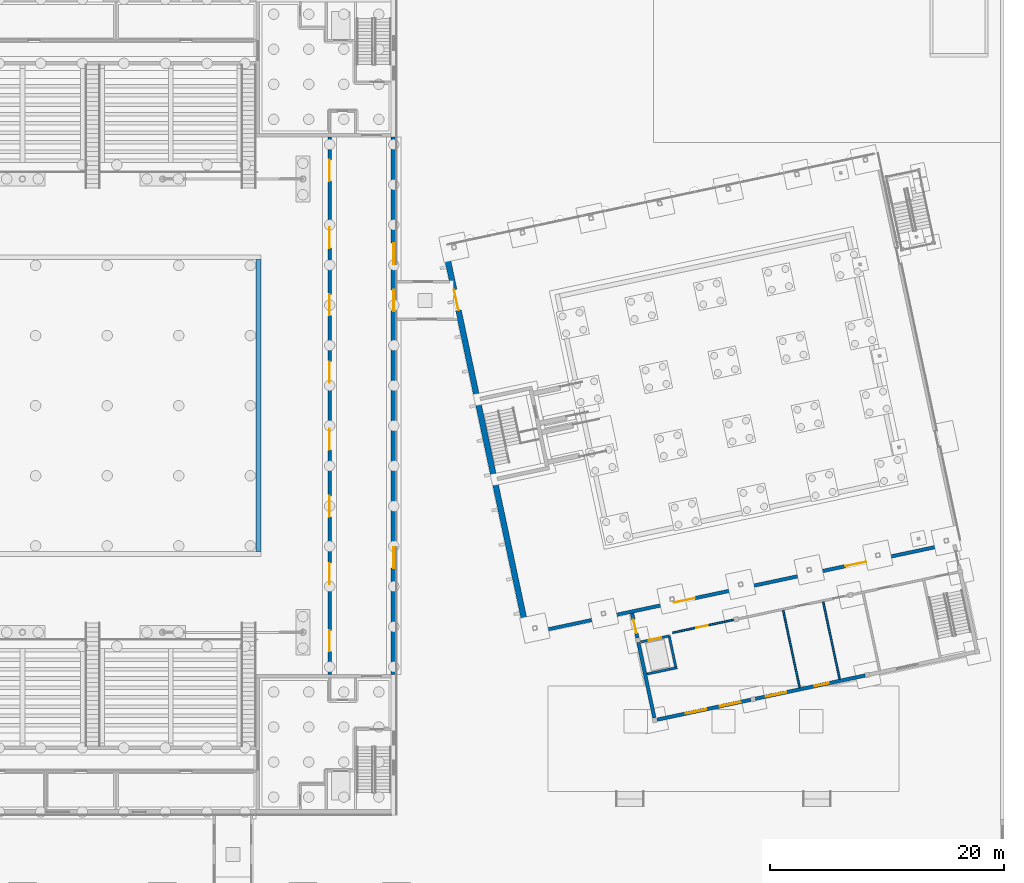
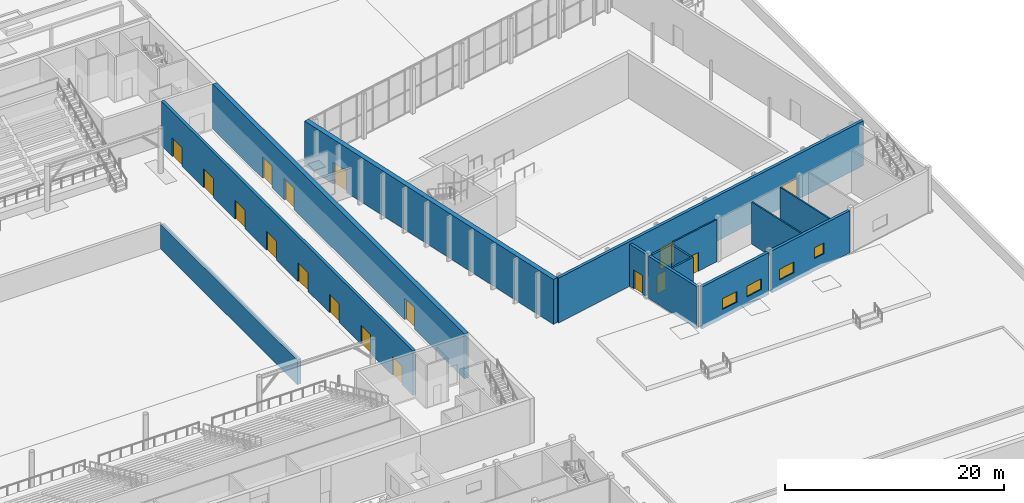
# One storey, part 102 of 157: 17 doors, 15 walls, 4 windows, 21 openings.
"""IFC4 building model written with IfcOpenShell, lengths in metres."""

import ifcopenshell
import ifcopenshell.guid

model = None  # the IFC model being written
_history = None  # IfcOwnerHistory: only IFC2X3 demands one
_inside = {}  # id of a spatial element -> (the spatial element, [elements in it])
_under = {}  # id of a project, library or spatial element -> (it, [spatial elements below it])
_declared = {}  # id of a project -> (the project, [libraries it declares])
_typed = {}  # id of a type object -> (the type object, [elements of that type])
_made_of = {}  # id of a material, layer set ... -> (it, [elements and type objects made of it])


def new_model(schema):
    """Start an empty IFC model of exactly this schema.

    Asked for "IFC4X3", IfcOpenShell would pick the latest addendum, in which some entities
    have other attributes; the version numbers below select the first issue.
    IFC2X3 requires an IfcOwnerHistory on every rooted entity: one is made here for all.
    """
    global model, _history
    if schema == "IFC4X3":
        model = ifcopenshell.file(schema_version=(4, 3, 0, 0))
    else:
        model = ifcopenshell.file(schema=schema)
    _inside.clear()
    _under.clear()
    _declared.clear()
    _typed.clear()
    _made_of.clear()
    _history = None
    if model.schema == "IFC2X3":
        org = make("IfcOrganization", Name="unknown")
        user = make(
            "IfcPersonAndOrganization",
            ThePerson=make("IfcPerson", FamilyName="unknown"),
            TheOrganization=org,
        )
        app = make(
            "IfcApplication",
            ApplicationDeveloper=org,
            Version="unknown",
            ApplicationFullName="unknown",
            ApplicationIdentifier="unknown",
        )
        _history = make(
            "IfcOwnerHistory",
            OwningUser=user,
            OwningApplication=app,
            ChangeAction="ADDED",
            CreationDate=0,
        )
    return model


def make(cls, **values):
    """One entity of the class cls with the attributes given. An attribute that is None is left unset."""
    return model.create_entity(
        cls, **{name: value for name, value in values.items() if value is not None}
    )


def rooted(cls, **values):
    """An entity with a GlobalId (a new one), such as an element, a storey or a relation."""
    return make(cls, GlobalId=ifcopenshell.guid.new(), OwnerHistory=_history, **values)


def si_unit(unit_type, name, prefix=None):
    """IfcSIUnit, for example si_unit("LENGTHUNIT", "METRE", prefix="MILLI")."""
    return make("IfcSIUnit", UnitType=unit_type, Prefix=prefix, Name=name)


def assignment(units):
    """IfcUnitAssignment: the units of a project."""
    return None if units is None else make("IfcUnitAssignment", Units=units)


def point(xyz):
    """IfcCartesianPoint."""
    return None if xyz is None else make("IfcCartesianPoint", Coordinates=xyz)


def direction(xyz):
    """IfcDirection."""
    return None if xyz is None else make("IfcDirection", DirectionRatios=xyz)


def frame(location, z_axis=None, x_axis=None):
    """IfcAxis2Placement3D, a coordinate frame: its origin and axes. An axis left out is left unset."""
    return make(
        "IfcAxis2Placement3D",
        Location=point(location),
        Axis=direction(z_axis),
        RefDirection=direction(x_axis),
    )


def frame_2d(location, x_axis=None):
    """IfcAxis2Placement2D, a coordinate frame in the plane: its origin and x axis."""
    return make(
        "IfcAxis2Placement2D", Location=point(location), RefDirection=direction(x_axis)
    )


def origin():
    """The frame at (0, 0, 0) with its axes left unset."""
    return frame((0.0, 0.0, 0.0))


def place(relative_to, where):
    """IfcLocalPlacement: puts the frame where relative to a parent placement (None: the world)."""
    return make(
        "IfcLocalPlacement", PlacementRelTo=relative_to, RelativePlacement=where
    )


def context(
    kind, dimensions, precision=None, world=None, true_north=None, identifier=None
):
    """IfcGeometricRepresentationContext, for example the 3D "Model" context."""
    return make(
        "IfcGeometricRepresentationContext",
        ContextIdentifier=identifier,
        ContextType=kind,
        CoordinateSpaceDimension=dimensions,
        Precision=precision,
        WorldCoordinateSystem=world,
        TrueNorth=true_north,
    )


def subcontext(parent, identifier, kind, view, scale=None):
    """IfcGeometricRepresentationSubContext, for example "Body" below "Model"."""
    return make(
        "IfcGeometricRepresentationSubContext",
        ContextIdentifier=identifier,
        ContextType=kind,
        ParentContext=parent,
        TargetScale=scale,
        TargetView=view,
    )


def project(units=None, contexts=None):
    """IfcProject with its units and contexts."""
    return rooted(
        "IfcProject",
        Name="project",
        RepresentationContexts=contexts,
        UnitsInContext=assignment(units),
    )


def spatial(cls, under=None, at=None, **own):
    """A site, building, storey or space (cls), placed at a placement, below another one or the project."""
    s = rooted(cls, ObjectPlacement=at, **own)
    if under is not None:
        _under.setdefault(under.id(), (under, []))[1].append(s)
    return s


def profile(cls, at=None, kind="AREA", **sizes):
    """A parametric profile (cls). Its sizes go by their IFC names, for example OverallWidth=200.0."""
    return make(cls, ProfileType=kind, Position=at, **sizes)


def rectangle(**sizes):
    """IfcRectangleProfileDef."""
    return profile("IfcRectangleProfileDef", **sizes)


def extrude(swept, where, along, depth):
    """IfcExtrudedAreaSolid: the profile swept, set in the frame where, extruded along a direction by depth."""
    return make(
        "IfcExtrudedAreaSolid",
        SweptArea=swept,
        Position=where,
        ExtrudedDirection=direction(along),
        Depth=depth,
    )


def shape(context_of_items, identifier, shape_type, items):
    """IfcShapeRepresentation: the items that make up one representation, for example the "Body"."""
    return make(
        "IfcShapeRepresentation",
        ContextOfItems=context_of_items,
        RepresentationIdentifier=identifier,
        RepresentationType=shape_type,
        Items=items,
    )


def material(Name=None, Category=None):
    """IfcMaterial."""
    return make("IfcMaterial", Name=Name, Category=Category)


def layer(
    of_material, thickness, ventilated=None, Name=None, Category=None, Priority=None
):
    """IfcMaterialLayer: one layer of a wall or slab, of a material (None: an air gap)."""
    return make(
        "IfcMaterialLayer",
        Material=of_material,
        LayerThickness=thickness,
        IsVentilated=ventilated,
        Name=Name,
        Category=Category,
        Priority=Priority,
    )


def layer_set(layers, Name=None):
    """IfcMaterialLayerSet."""
    return make("IfcMaterialLayerSet", MaterialLayers=layers, LayerSetName=Name)


def made_of(thing, what):
    """Note that an element or type object is made of a material, layer set ...; save() writes the relation."""
    if what is not None:
        _made_of.setdefault(what.id(), (what, []))[1].append(thing)
    return thing


def type_object(cls, material=None, **own):
    """A type object (cls), such as IfcWallType, which elements share."""
    return made_of(rooted(cls, **own), material)


def element(
    cls,
    number,
    at=None,
    inside=None,
    cuts=None,
    type_object=None,
    material=None,
    context=None,
    identifier="Body",
    shape_type=None,
    held_by="IfcProductDefinitionShape",
    body=None,
    shapes=None,
    **own,
):
    """One element of the class cls, such as IfcWall. Its Tag is "e" and its number.

    at: its placement. inside: the storey or other place that contains it. cuts: it is an
    opening in that element (IfcRelVoidsElement). A single representation is given by context,
    identifier, shape_type and body (its items); several are given by shapes. held_by: the class
    of the entity that holds the representations. save() writes the other relations.
    """
    e = rooted(cls, Tag="e%d" % number, ObjectPlacement=at, **own)
    if body is not None:
        shapes = [shape(context, identifier, shape_type, body)]
    if shapes is not None:
        e.Representation = make(held_by, Representations=shapes)
    if inside is not None:
        _inside.setdefault(inside.id(), (inside, []))[1].append(e)
    if cuts is not None:
        rooted(
            "IfcRelVoidsElement", RelatingBuildingElement=cuts, RelatedOpeningElement=e
        )
    if type_object is not None:
        _typed.setdefault(type_object.id(), (type_object, []))[1].append(e)
    return made_of(e, material)


def fill(opening, filler):
    """IfcRelFillsElement: the door or window that sits in an opening."""
    return rooted(
        "IfcRelFillsElement",
        RelatingOpeningElement=opening,
        RelatedBuildingElement=filler,
    )


def aggregate(whole, parts):
    """IfcRelAggregates: a whole, such as a stair, and the parts it consists of."""
    return rooted("IfcRelAggregates", RelatingObject=whole, RelatedObjects=parts)


def save(model, path):
    """Write the relations noted so far, then the file.

    IfcRelAggregates (storeys below a building ...), IfcRelContainedInSpatialStructure (elements
    in a storey), IfcRelDefinesByType, IfcRelAssociatesMaterial and IfcRelDeclares: one each for
    every whole, place, type object, material and project.
    """
    for whole, parts in _under.values():
        aggregate(whole, parts)
    for where, things in _inside.values():
        rooted(
            "IfcRelContainedInSpatialStructure",
            RelatedElements=things,
            RelatingStructure=where,
        )
    for kind, things in _typed.values():
        rooted("IfcRelDefinesByType", RelatedObjects=things, RelatingType=kind)
    for what, things in _made_of.values():
        rooted("IfcRelAssociatesMaterial", RelatedObjects=things, RelatingMaterial=what)
    for by, libraries in _declared.values():
        rooted("IfcRelDeclares", RelatingContext=by, RelatedDefinitions=libraries)
    model.write(path)


model = new_model("IFC4")

# Units and contexts
model_context = context("Model", 3, precision=1e-05, world=origin(), true_north=direction((0.0, 1.0)))
body_context = subcontext(model_context, "Body", "Model", "MODEL_VIEW")
ifc_project = project(units=[si_unit("LENGTHUNIT", "METRE"), si_unit("AREAUNIT", "SQUARE_METRE"), si_unit("VOLUMEUNIT", "CUBIC_METRE"), si_unit("PLANEANGLEUNIT", "RADIAN"), si_unit("MASSUNIT", "GRAM", prefix="KILO")], contexts=[model_context])

# Site, building, storey
site_placement = place(None, origin())
site = spatial("IfcSite", under=ifc_project, at=site_placement, CompositionType="ELEMENT")
building_placement = place(site_placement, origin())
building = spatial("IfcBuilding", under=site, at=building_placement, Name="Windward Yard Aquatics Centre", CompositionType="ELEMENT")
storey_placement = place(building_placement, origin())
storey = spatial("IfcBuildingStorey", under=building, at=storey_placement, Name="L00", CompositionType="ELEMENT", Elevation=0.0)

# Wall, opening, door
ifc_material_1 = material(Name="Concrete C35/45", Category="concrete")
ifc_layer_1 = layer(ifc_material_1, 0.199951171875)
ifc_layer_set_1 = layer_set([ifc_layer_1], Name="D annex core wall 200")
wall_type_1 = type_object("IfcWallType", Name="D annex core wall 200", PredefinedType="SOLIDWALL", material=ifc_layer_set_1)
wall_1_placement = place(storey_placement, frame((172.9013671875, 40.776123046875, 0.0), z_axis=(0.0, 0.0, 1.0), x_axis=(0.978146935828, 0.207914818928, 0.0)))
wall_1 = element("IfcWall", 1, at=wall_1_placement, inside=storey, type_object=wall_type_1, Name="D.W.A.L00.LS.N", PredefinedType="SOLIDWALL", context=body_context, shape_type="SweptSolid", body=[
    extrude(rectangle(XDim=2.5, YDim=0.199951171875, at=frame_2d((1.25, 0.0))), origin(), (0.0, 0.0, 1.0), 4.699951171875),
])
opening_1_placement = place(wall_1_placement, frame((0.699951171875, 0.0, 0.0)))
opening_1 = element("IfcOpeningElement", 2, at=opening_1_placement, cuts=wall_1, Name="Opening D0900", PredefinedType="OPENING", context=body_context, shape_type="SweptSolid", body=[
    extrude(rectangle(XDim=1.10009765625, YDim=2.10009765625, at=frame_2d((0.550048828125, 1.050048828125))), frame((0.0, 0.10986328125, 0.0), z_axis=(0.0, -1.0, 0.0), x_axis=(1.0, 0.0, 0.0)), (0.0, 0.0, 1.0), 0.219970703125),
])
ifc_material_2 = material(Name="Aluminium framed glazed sliding door", Category="aluminium")
door_type_1 = type_object("IfcDoorType", Name="D sliding door 1100X2100 FD60", OperationType="SLIDING_TO_LEFT", PredefinedType="DOOR", material=ifc_material_2)
door_1_placement = place(opening_1_placement, origin())
door_1 = element("IfcDoor", 3, at=door_1_placement, inside=storey, type_object=door_type_1, Name="Lift 1 landing door L00", OperationType="SLIDING_TO_LEFT", OverallHeight=2.10009765625, OverallWidth=1.10009765625, PredefinedType="DOOR", context=body_context, shape_type="SweptSolid", body=[
    extrude(rectangle(XDim=1.10009765625, YDim=2.10009765625, at=frame_2d((0.550048828125, 1.050048828125))), frame((0.0, 0.02490234375, 0.0), z_axis=(0.0, -1.0, 0.0), x_axis=(1.0, 0.0, 0.0)), (0.0, 0.0, 1.0), 0.050048828125),
])
fill(opening_1, door_1)

# Walls
wall_2_placement = place(storey_placement, frame((175.9287109375, 38.55712890625, 0.0), z_axis=(0.0, 0.0, 1.0), x_axis=(-0.207873355681, 0.978155748334, 0.0)))
element("IfcWall", 4, at=wall_2_placement, inside=storey, type_object=wall_type_1, Name="D.W.A.L00.LS.E", PredefinedType="SOLIDWALL", context=body_context, shape_type="SweptSolid", body=[
    extrude(rectangle(XDim=2.800048828125, YDim=0.199951171875, at=frame_2d((1.39990234375, 0.0))), origin(), (0.0, 0.0, 1.0), 4.699951171875),
])
wall_3_placement = place(storey_placement, frame((173.4345703125, 38.02685546875, 0.0), z_axis=(0.0, 0.0, 1.0), x_axis=(0.978142223379, 0.207936987677, 0.0)))
element("IfcWall", 5, at=wall_3_placement, inside=storey, type_object=wall_type_1, Name="D.W.A.L00.LS.S", PredefinedType="SOLIDWALL", context=body_context, shape_type="SweptSolid", body=[
    extrude(rectangle(XDim=2.64990234375, YDim=0.199951171875, at=frame_2d((1.324951171875, 0.0))), origin(), (0.0, 0.0, 1.0), 4.699951171875),
])

# Wall, openings, windows
ifc_layer_2 = layer(ifc_material_1, 0.300048828125)
ifc_layer_set_2 = layer_set([ifc_layer_2], Name="D annex external wall 300")
wall_type_2 = type_object("IfcWallType", Name="D annex external wall 300", PredefinedType="ELEMENTEDWALL", material=ifc_layer_set_2)
wall_4_placement = place(storey_placement, frame((174.315185546875, 34.124755859375, 0.0), z_axis=(0.0, 0.0, 1.0), x_axis=(0.978148331689, 0.207908251916, 0.0)))
wall_4 = element("IfcWall", 6, at=wall_4_placement, inside=storey, type_object=wall_type_2, Name="D.W.A.L00.S.1", PredefinedType="ELEMENTEDWALL", context=body_context, shape_type="SweptSolid", body=[
    extrude(rectangle(XDim=8.199951171875, YDim=0.300048828125, at=frame_2d((4.10009765625, 0.0))), origin(), (0.0, 0.0, 1.0), 4.699951171875),
])
opening_2_placement = place(wall_4_placement, frame((2.5, 0.0, 1.0)))
opening_2 = element("IfcOpeningElement", 7, at=opening_2_placement, cuts=wall_4, Name="Opening DW0001", PredefinedType="OPENING", context=body_context, shape_type="SweptSolid", body=[
    extrude(rectangle(XDim=1.800048828125, YDim=1.199951171875, at=frame_2d((0.89990234375, 0.60009765625))), frame((0.0, 0.16015625, 0.0), z_axis=(0.0, -1.0, 0.0), x_axis=(1.0, 0.0, 0.0)), (0.0, 0.0, 1.0), 0.320068359375),
])
opening_3_placement = place(wall_4_placement, frame((5.5, 0.0, 1.0)))
opening_3 = element("IfcOpeningElement", 8, at=opening_3_placement, cuts=wall_4, Name="Opening DW0002", PredefinedType="OPENING", context=body_context, shape_type="SweptSolid", body=[
    extrude(rectangle(XDim=1.800048828125, YDim=1.199951171875, at=frame_2d((0.89990234375, 0.60009765625))), frame((0.0, 0.16015625, 0.0), z_axis=(0.0, -1.0, 0.0), x_axis=(1.0, 0.0, 0.0)), (0.0, 0.0, 1.0), 0.320068359375),
])
ifc_material_3 = material(Name="Aluminium framed double glazing", Category="aluminium")
window_type_1 = type_object("IfcWindowType", Name="D window 1800X1200", PartitioningType="SINGLE_PANEL", PredefinedType="WINDOW", material=ifc_material_3)
window_1_placement = place(opening_2_placement, origin())
window_1 = element("IfcWindow", 9, at=window_1_placement, inside=storey, type_object=window_type_1, Name="Window DW0001", OverallHeight=1.199951171875, OverallWidth=1.800048828125, PartitioningType="SINGLE_PANEL", PredefinedType="WINDOW", context=body_context, shape_type="SweptSolid", body=[
    extrude(rectangle(XDim=1.800048828125, YDim=1.199951171875, at=frame_2d((0.89990234375, 0.60009765625))), frame((0.0, 0.030029296875, 0.0), z_axis=(0.0, -1.0, 0.0), x_axis=(1.0, 0.0, 0.0)), (0.0, 0.0, 1.0), 0.06005859375),
])
fill(opening_2, window_1)
window_2_placement = place(opening_3_placement, origin())
window_2 = element("IfcWindow", 10, at=window_2_placement, inside=storey, type_object=window_type_1, Name="Window DW0002", OverallHeight=1.199951171875, OverallWidth=1.800048828125, PartitioningType="SINGLE_PANEL", PredefinedType="WINDOW", context=body_context, shape_type="SweptSolid", body=[
    extrude(rectangle(XDim=1.800048828125, YDim=1.199951171875, at=frame_2d((0.89990234375, 0.60009765625))), frame((0.0, 0.030029296875, 0.0), z_axis=(0.0, -1.0, 0.0), x_axis=(1.0, 0.0, 0.0)), (0.0, 0.0, 1.0), 0.06005859375),
])
fill(opening_3, window_2)

wall_5_placement = place(storey_placement, frame((182.72705078125, 35.912841796875, 0.0), z_axis=(0.0, 0.0, 1.0), x_axis=(0.978150512552, 0.207897991319, 0.0)))
wall_5 = element("IfcWall", 11, at=wall_5_placement, inside=storey, type_object=wall_type_2, Name="D.W.A.L00.S.2", PredefinedType="ELEMENTEDWALL", context=body_context, shape_type="SweptSolid", body=[
    extrude(rectangle(XDim=9.60009765625, YDim=0.300048828125, at=frame_2d((4.800048828125, 0.0))), origin(), (0.0, 0.0, 1.0), 4.699951171875),
])
opening_4_placement = place(wall_5_placement, frame((0.89990234375, 0.0, 1.0)))
opening_4 = element("IfcOpeningElement", 12, at=opening_4_placement, cuts=wall_5, Name="Opening DW0003", PredefinedType="OPENING", context=body_context, shape_type="SweptSolid", body=[
    extrude(rectangle(XDim=1.800048828125, YDim=1.199951171875, at=frame_2d((0.89990234375, 0.60009765625))), frame((0.0, 0.16015625, 0.0), z_axis=(0.0, -1.0, 0.0), x_axis=(1.0, 0.0, 0.0)), (0.0, 0.0, 1.0), 0.320068359375),
])
opening_5_placement = place(wall_5_placement, frame((5.199951171875, 0.0, 1.39990234375)))
opening_5 = element("IfcOpeningElement", 13, at=opening_5_placement, cuts=wall_5, Name="Opening DW0004", PredefinedType="OPENING", context=body_context, shape_type="SweptSolid", body=[
    extrude(rectangle(XDim=1.199951171875, YDim=1.199951171875, at=frame_2d((0.60009765625, 0.60009765625))), frame((0.0, 0.16015625, 0.0), z_axis=(0.0, -1.0, 0.0), x_axis=(1.0, 0.0, 0.0)), (0.0, 0.0, 1.0), 0.320068359375),
])
window_type_2 = type_object("IfcWindowType", Name="D window 1200X1200", PartitioningType="SINGLE_PANEL", PredefinedType="WINDOW", material=ifc_material_3)
window_3_placement = place(opening_5_placement, origin())
window_3 = element("IfcWindow", 14, at=window_3_placement, inside=storey, type_object=window_type_2, Name="Window DW0004", OverallHeight=1.199951171875, OverallWidth=1.199951171875, PartitioningType="SINGLE_PANEL", PredefinedType="WINDOW", context=body_context, shape_type="SweptSolid", body=[
    extrude(rectangle(XDim=1.199951171875, YDim=1.199951171875, at=frame_2d((0.60009765625, 0.60009765625))), frame((0.0, 0.030029296875, 0.0), z_axis=(0.0, -1.0, 0.0), x_axis=(1.0, 0.0, 0.0)), (0.0, 0.0, 1.0), 0.06005859375),
])
fill(opening_5, window_3)
window_4_placement = place(opening_4_placement, origin())
window_4 = element("IfcWindow", 15, at=window_4_placement, inside=storey, type_object=window_type_1, Name="Window DW0003", OverallHeight=1.199951171875, OverallWidth=1.800048828125, PartitioningType="SINGLE_PANEL", PredefinedType="WINDOW", context=body_context, shape_type="SweptSolid", body=[
    extrude(rectangle(XDim=1.800048828125, YDim=1.199951171875, at=frame_2d((0.89990234375, 0.60009765625))), frame((0.0, 0.030029296875, 0.0), z_axis=(0.0, -1.0, 0.0), x_axis=(1.0, 0.0, 0.0)), (0.0, 0.0, 1.0), 0.06005859375),
])
fill(opening_4, window_4)

# Wall
wall_6_placement = place(storey_placement, frame((174.077880859375, 34.27880859375, 0.0), z_axis=(0.0, 0.0, 1.0), x_axis=(-0.207924673876, 0.978144841009, 0.0)))
element("IfcWall", 16, at=wall_6_placement, inside=storey, type_object=wall_type_2, Name="D.W.A.L00.W.1", PredefinedType="ELEMENTEDWALL", context=body_context, shape_type="SweptSolid", body=[
    extrude(rectangle(XDim=6.60009765625, YDim=0.300048828125, at=frame_2d((3.300048828125, 0.0))), origin(), (0.0, 0.0, 1.0), 4.699951171875),
])

# Wall, opening, door
wall_7_placement = place(storey_placement, frame((172.62255859375, 41.125732421875, 0.0), z_axis=(0.0, 0.0, 1.0), x_axis=(-0.207915795165, 0.978146728319, 0.0)))
wall_7 = element("IfcWall", 17, at=wall_7_placement, inside=storey, type_object=wall_type_2, Name="D.W.A.L00.WN.1", PredefinedType="ELEMENTEDWALL", context=body_context, shape_type="SweptSolid", body=[
    extrude(rectangle(XDim=2.14990234375, YDim=0.300048828125, at=frame_2d((1.074951171875, 0.0))), origin(), (0.0, 0.0, 1.0), 4.699951171875),
])
opening_6_placement = place(wall_7_placement, frame((0.39990234375, 0.0, 0.0)))
opening_6 = element("IfcOpeningElement", 18, at=opening_6_placement, cuts=wall_7, Name="Opening D0012", PredefinedType="OPENING", context=body_context, shape_type="SweptSolid", body=[
    extrude(rectangle(XDim=1.199951171875, YDim=2.10009765625, at=frame_2d((0.60009765625, 1.050048828125))), frame((0.0, 0.16015625, 0.0), z_axis=(0.0, -1.0, 0.0), x_axis=(1.0, 0.0, 0.0)), (0.0, 0.0, 1.0), 0.320068359375),
])
ifc_material_4 = material(Name="Steel door leaf in steel frame", Category="steel")
door_type_2 = type_object("IfcDoorType", Name="D steel door 1200X2100 FD60", OperationType="SINGLE_SWING_LEFT", PredefinedType="DOOR", material=ifc_material_4)
door_2_placement = place(opening_6_placement, origin())
door_2 = element("IfcDoor", 19, at=door_2_placement, inside=storey, type_object=door_type_2, Name="Annex corridor exit door west", OperationType="SINGLE_SWING_LEFT", OverallHeight=2.10009765625, OverallWidth=1.199951171875, PredefinedType="DOOR", context=body_context, shape_type="SweptSolid", body=[
    extrude(rectangle(XDim=1.199951171875, YDim=2.10009765625, at=frame_2d((0.60009765625, 1.050048828125))), frame((0.0, 0.02490234375, 0.0), z_axis=(0.0, -1.0, 0.0), x_axis=(1.0, 0.0, 0.0)), (0.0, 0.0, 1.0), 0.050048828125),
])
fill(opening_6, door_2)

ifc_material_5 = material(Name="Concrete masonry unit plastered", Category="masonry")
ifc_layer_3 = layer(ifc_material_5, 0.14990234375)
ifc_layer_set_3 = layer_set([ifc_layer_3], Name="D annex partition 150")
wall_type_3 = type_object("IfcWallType", Name="D annex partition 150", PredefinedType="PARTITIONING", material=ifc_layer_set_3)
wall_8_placement = place(storey_placement, frame((175.6474609375, 41.564208984375, 0.0), z_axis=(0.0, 0.0, 1.0), x_axis=(0.978148991832, 0.207905146106, 0.0)))
wall_8 = element("IfcWall", 20, at=wall_8_placement, inside=storey, type_object=wall_type_3, Name="D.W.A.L00.CP.1", PredefinedType="PARTITIONING", context=body_context, shape_type="SweptSolid", body=[
    extrude(rectangle(XDim=5.35009765625, YDim=0.14990234375, at=frame_2d((2.675048828125, 0.0))), origin(), (0.0, 0.0, 1.0), 4.699951171875),
])
opening_7_placement = place(wall_8_placement, frame((2.050048828125, 0.0, 0.0)))
opening_7 = element("IfcOpeningElement", 21, at=opening_7_placement, cuts=wall_8, Name="Opening D0007", PredefinedType="OPENING", context=body_context, shape_type="SweptSolid", body=[
    extrude(rectangle(XDim=1.0, YDim=2.10009765625, at=frame_2d((0.5, 1.050048828125))), frame((0.0, 0.0849609375, 0.0), z_axis=(0.0, -1.0, 0.0), x_axis=(1.0, 0.0, 0.0)), (0.0, 0.0, 1.0), 0.169921875),
])
ifc_material_6 = material(Name="Timber door leaf in steel frame", Category="steel")
door_type_3 = type_object("IfcDoorType", Name="D door 1000X2100 FD30S", OperationType="SINGLE_SWING_LEFT", PredefinedType="DOOR", material=ifc_material_6)
door_3_placement = place(opening_7_placement, origin())
door_3 = element("IfcDoor", 22, at=door_3_placement, inside=storey, type_object=door_type_3, Name="Door D0007", OperationType="SINGLE_SWING_LEFT", OverallHeight=2.10009765625, OverallWidth=1.0, PredefinedType="DOOR", context=body_context, shape_type="SweptSolid", body=[
    extrude(rectangle(XDim=1.0, YDim=2.10009765625, at=frame_2d((0.5, 1.050048828125))), frame((0.0, 0.02490234375, 0.0), z_axis=(0.0, -1.0, 0.0), x_axis=(1.0, 0.0, 0.0)), (0.0, 0.0, 1.0), 0.050048828125),
])
fill(opening_7, door_3)

# Walls
for number, where, z_axis, x_axis, name in (
    (23, (186.5107421875, 36.870361328125, 0.0), (0.0, 0.0, 1.0), (-0.207898552739, 0.978150393226, 0.0), "D.W.A.L00.DV.22.1"),
    (24, (189.93408203125, 37.597900390625, 0.0), (0.0, 0.0, 1.0), (-0.207898552739, 0.978150393226, 0.0), "D.W.A.L00.DV.25.6"),
):
    element("IfcWall", number, at=place(storey_placement, frame(where, z_axis=z_axis, x_axis=x_axis)), inside=storey, type_object=wall_type_3, Name=name, PredefinedType="PARTITIONING", context=body_context, shape_type="SweptSolid", body=[
        extrude(rectangle(XDim=6.75, YDim=0.14990234375, at=frame_2d((3.375, 0.0))), origin(), (0.0, 0.0, 1.0), 4.699951171875),
    ])

# Wall, openings, doors
ifc_layer_4 = layer(ifc_material_1, 0.300048828125)
ifc_layer_set_4 = layer_set([ifc_layer_4], Name="D diving hall external wall 300")
wall_type_4 = type_object("IfcWallType", Name="D diving hall external wall 300", PredefinedType="SOLIDWALL", material=ifc_layer_set_4)
wall_9_placement = place(storey_placement, frame((163.438720703125, 41.525146484375, 0.0), z_axis=(0.0, 0.0, 1.0), x_axis=(0.978148061555, 0.207909522815, 0.0)))
wall_9 = element("IfcWall", 25, at=wall_9_placement, inside=storey, type_object=wall_type_4, Name="D.W.S.L00", PredefinedType="SOLIDWALL", context=body_context, shape_type="SweptSolid", body=[
    extrude(rectangle(XDim=37.5, YDim=0.300048828125, at=frame_2d((18.75, 0.0))), origin(), (0.0, 0.0, 1.0), 5.0),
])
opening_8_placement = place(wall_9_placement, frame((12.60009765625, 0.0, 0.0)))
opening_8 = element("IfcOpeningElement", 26, at=opening_8_placement, cuts=wall_9, Name="Opening D0001", PredefinedType="OPENING", context=body_context, shape_type="SweptSolid", body=[
    extrude(rectangle(XDim=1.800048828125, YDim=2.39990234375, at=frame_2d((0.89990234375, 1.199951171875))), frame((0.0, 0.16015625, 0.0), z_axis=(0.0, -1.0, 0.0), x_axis=(1.0, 0.0, 0.0)), (0.0, 0.0, 1.0), 0.320068359375),
])
opening_9_placement = place(wall_9_placement, frame((27.60009765625, 0.0, 0.0)))
opening_9 = element("IfcOpeningElement", 27, at=opening_9_placement, cuts=wall_9, Name="Opening D0002", PredefinedType="OPENING", context=body_context, shape_type="SweptSolid", body=[
    extrude(rectangle(XDim=1.800048828125, YDim=2.39990234375, at=frame_2d((0.89990234375, 1.199951171875))), frame((0.0, 0.16015625, 0.0), z_axis=(0.0, -1.0, 0.0), x_axis=(1.0, 0.0, 0.0)), (0.0, 0.0, 1.0), 0.320068359375),
])
door_type_4 = type_object("IfcDoorType", Name="D double door 1800X2400 FD30S", OperationType="DOUBLE_DOOR_SINGLE_SWING", PredefinedType="DOOR", material=ifc_material_6)
door_4_placement = place(opening_8_placement, origin())
door_4 = element("IfcDoor", 28, at=door_4_placement, inside=storey, type_object=door_type_4, Name="Door D0001", OperationType="DOUBLE_DOOR_SINGLE_SWING", OverallHeight=2.39990234375, OverallWidth=1.800048828125, PredefinedType="DOOR", context=body_context, shape_type="SweptSolid", body=[
    extrude(rectangle(XDim=1.800048828125, YDim=2.39990234375, at=frame_2d((0.89990234375, 1.199951171875))), frame((0.0, 0.02490234375, 0.0), z_axis=(0.0, -1.0, 0.0), x_axis=(1.0, 0.0, 0.0)), (0.0, 0.0, 1.0), 0.050048828125),
])
fill(opening_8, door_4)
door_5_placement = place(opening_9_placement, origin())
door_5 = element("IfcDoor", 29, at=door_5_placement, inside=storey, type_object=door_type_4, Name="Door D0002", OperationType="DOUBLE_DOOR_SINGLE_SWING", OverallHeight=2.39990234375, OverallWidth=1.800048828125, PredefinedType="DOOR", context=body_context, shape_type="SweptSolid", body=[
    extrude(rectangle(XDim=1.800048828125, YDim=2.39990234375, at=frame_2d((0.89990234375, 1.199951171875))), frame((0.0, 0.02490234375, 0.0), z_axis=(0.0, -1.0, 0.0), x_axis=(1.0, 0.0, 0.0)), (0.0, 0.0, 1.0), 0.050048828125),
])
fill(opening_9, door_5)

# Wall, opening, door
ifc_layer_5 = layer(ifc_material_1, 0.5)
ifc_layer_set_5 = layer_set([ifc_layer_5], Name="D tower end wall 500")
wall_type_5 = type_object("IfcWallType", Name="D tower end wall 500", PredefinedType="SOLIDWALL", material=ifc_layer_set_5)
wall_10_placement = place(storey_placement, frame((163.194091796875, 41.47314453125, 0.0), z_axis=(0.0, 0.0, 1.0), x_axis=(-0.20790710573, 0.978148575313, 0.0)))
wall_10 = element("IfcWall", 30, at=wall_10_placement, inside=storey, type_object=wall_type_5, Name="D.W.W.L00", PredefinedType="SOLIDWALL", context=body_context, shape_type="SweptSolid", body=[
    extrude(rectangle(XDim=34.0, YDim=0.5, at=frame_2d((17.0, 0.0))), origin(), (0.0, 0.0, 1.0), 5.0),
])
opening_10_placement = place(wall_10_placement, frame((28.300048828125, 0.0, 0.0)))
opening_10 = element("IfcOpeningElement", 31, at=opening_10_placement, cuts=wall_10, Name="Opening LK2", PredefinedType="OPENING", context=body_context, shape_type="SweptSolid", body=[
    extrude(rectangle(XDim=1.800048828125, YDim=2.39990234375, at=frame_2d((0.89990234375, 1.199951171875))), frame((0.0, 0.260009765625, 0.0), z_axis=(0.0, -1.0, 0.0), x_axis=(1.0, 0.0, 0.0)), (0.0, 0.0, 1.0), 0.52001953125),
])
ifc_material_7 = material(Name="Aluminium and toughened glass", Category="aluminium")
door_type_5 = type_object("IfcDoorType", Name="L glazed link door 1800x2400 aluminium", OperationType="DOUBLE_DOOR_SINGLE_SWING", PredefinedType="DOOR", material=ifc_material_7)
door_6_placement = place(opening_10_placement, origin())
door_6 = element("IfcDoor", 32, at=door_6_placement, inside=storey, type_object=door_type_5, Name="Link door to the pool hall (diving hall side)", OperationType="DOUBLE_DOOR_SINGLE_SWING", OverallHeight=2.39990234375, OverallWidth=1.800048828125, PredefinedType="DOOR", context=body_context, shape_type="SweptSolid", body=[
    extrude(rectangle(XDim=1.800048828125, YDim=2.39990234375, at=frame_2d((0.89990234375, 1.199951171875))), frame((0.0, 0.02490234375, 0.0), z_axis=(0.0, -1.0, 0.0), x_axis=(1.0, 0.0, 0.0)), (0.0, 0.0, 1.0), 0.050048828125),
])
fill(opening_10, door_6)

# Wall, openings, doors
ifc_material_8 = material(Name="Natural stone cladding", Category="masonry")
ifc_layer_6 = layer(ifc_material_8, 0.04, Name="Cladding")
ifc_material_9 = material(Name="Ventilated air cavity")
ifc_layer_7 = layer(ifc_material_9, 0.05, ventilated=True, Name="Ventilated cavity")
ifc_material_10 = material(Name="Mineral wool insulation")
ifc_layer_8 = layer(ifc_material_10, 0.08, Name="Insulation")
ifc_layer_9 = layer(ifc_material_1, 0.28, Name="Structure")
ifc_layer_set_6 = layer_set([ifc_layer_6, ifc_layer_7, ifc_layer_8, ifc_layer_9], Name="H plinth wall stone faced 450 C35/45")
wall_type_6 = type_object("IfcWallType", Name="H plinth wall stone faced 450 C35/45", PredefinedType="ELEMENTEDWALL", material=ifc_layer_set_6)
wall_11_placement = place(storey_placement, frame((151.77490234375, 38.0, 0.0), z_axis=(0.0, 0.0, 1.0), x_axis=(0.0, 1.0, 0.0)))
wall_11 = element("IfcWall", 33, at=wall_11_placement, inside=storey, type_object=wall_type_6, Name="H.PW.E.L00", PredefinedType="ELEMENTEDWALL", context=body_context, shape_type="SweptSolid", body=[
    extrude(rectangle(XDim=46.0, YDim=0.449951171875, at=frame_2d((23.0, 0.0))), origin(), (0.0, 0.0, 1.0), 5.0),
])
opening_11_placement = place(wall_11_placement, frame((10.900146484375, 0.0, 0.0), z_axis=(0.0, 0.0, 1.0), x_axis=(-1.0, 0.0, 0.0)))
opening_11 = element("IfcOpeningElement", 34, at=opening_11_placement, cuts=wall_11, Name="Opening H0114", PredefinedType="OPENING", context=body_context, shape_type="SweptSolid", body=[
    extrude(rectangle(XDim=1.800048828125, YDim=2.39990234375, at=frame_2d((0.89990234375, 1.199951171875))), frame((0.0, 0.23486328125, 0.0), z_axis=(0.0, -1.0, 0.0), x_axis=(1.0, 0.0, 0.0)), (0.0, 0.0, 1.0), 0.469970703125),
])
opening_12_placement = place(wall_11_placement, frame((36.900146484375, 0.0, 0.0), z_axis=(0.0, 0.0, 1.0), x_axis=(-1.0, 0.0, 0.0)))
opening_12 = element("IfcOpeningElement", 35, at=opening_12_placement, cuts=wall_11, Name="Opening H0115", PredefinedType="OPENING", context=body_context, shape_type="SweptSolid", body=[
    extrude(rectangle(XDim=1.800048828125, YDim=2.39990234375, at=frame_2d((0.89990234375, 1.199951171875))), frame((0.0, 0.23486328125, 0.0), z_axis=(0.0, -1.0, 0.0), x_axis=(1.0, 0.0, 0.0)), (0.0, 0.0, 1.0), 0.469970703125),
])
opening_13_placement = place(wall_11_placement, frame((31.10009765625, 0.0, 0.0)))
opening_13 = element("IfcOpeningElement", 36, at=opening_13_placement, cuts=wall_11, Name="Opening LK1", PredefinedType="OPENING", context=body_context, shape_type="SweptSolid", body=[
    extrude(rectangle(XDim=1.800048828125, YDim=2.39990234375, at=frame_2d((0.89990234375, 1.199951171875))), frame((0.0, 0.23486328125, 0.0), z_axis=(0.0, -1.0, 0.0), x_axis=(1.0, 0.0, 0.0)), (0.0, 0.0, 1.0), 0.469970703125),
])
ifc_material_11 = material(Name="Powder coated steel door set with vision panels", Category="steel")
door_type_6 = type_object("IfcDoorType", Name="H exit door double leaf 1800x2400", OperationType="DOUBLE_DOOR_SINGLE_SWING", PredefinedType="DOOR", material=ifc_material_11)
door_7_placement = place(opening_11_placement, origin())
door_7 = element("IfcDoor", 37, at=door_7_placement, inside=storey, type_object=door_type_6, Name="Exit door E 114", OperationType="DOUBLE_DOOR_SINGLE_SWING", OverallHeight=2.39990234375, OverallWidth=1.800048828125, PredefinedType="DOOR", context=body_context, shape_type="SweptSolid", body=[
    extrude(rectangle(XDim=1.800048828125, YDim=2.39990234375, at=frame_2d((0.89990234375, 1.199951171875))), frame((0.0, 0.02490234375, 0.0), z_axis=(0.0, -1.0, 0.0), x_axis=(1.0, 0.0, 0.0)), (0.0, 0.0, 1.0), 0.050048828125),
])
fill(opening_11, door_7)
door_8_placement = place(opening_12_placement, origin())
door_8 = element("IfcDoor", 38, at=door_8_placement, inside=storey, type_object=door_type_6, Name="Exit door E 115", OperationType="DOUBLE_DOOR_SINGLE_SWING", OverallHeight=2.39990234375, OverallWidth=1.800048828125, PredefinedType="DOOR", context=body_context, shape_type="SweptSolid", body=[
    extrude(rectangle(XDim=1.800048828125, YDim=2.39990234375, at=frame_2d((0.89990234375, 1.199951171875))), frame((0.0, 0.02490234375, 0.0), z_axis=(0.0, -1.0, 0.0), x_axis=(1.0, 0.0, 0.0)), (0.0, 0.0, 1.0), 0.050048828125),
])
fill(opening_12, door_8)
door_9_placement = place(opening_13_placement, origin())
door_9 = element("IfcDoor", 39, at=door_9_placement, inside=storey, type_object=door_type_5, Name="Link door to the diving hall (pool hall side)", OperationType="DOUBLE_DOOR_SINGLE_SWING", OverallHeight=2.39990234375, OverallWidth=1.800048828125, PredefinedType="DOOR", context=body_context, shape_type="SweptSolid", body=[
    extrude(rectangle(XDim=1.800048828125, YDim=2.39990234375, at=frame_2d((0.89990234375, 1.199951171875))), frame((0.0, 0.02490234375, 0.0), z_axis=(0.0, -1.0, 0.0), x_axis=(1.0, 0.0, 0.0)), (0.0, 0.0, 1.0), 0.050048828125),
])
fill(opening_13, door_9)

ifc_layer_10 = layer(ifc_material_1, 0.300048828125)
ifc_layer_set_7 = layer_set([ifc_layer_10], Name="H rear wall 300 C35/45")
wall_type_7 = type_object("IfcWallType", Name="H rear wall 300 C35/45", PredefinedType="SOLIDWALL", material=ifc_layer_set_7)
wall_12_placement = place(storey_placement, frame((146.290283203125, 38.0, 0.0), z_axis=(0.0, 0.0, 1.0), x_axis=(0.0, 1.0, 0.0)))
wall_12 = element("IfcWall", 40, at=wall_12_placement, inside=storey, type_object=wall_type_7, Name="H.RW.E.L00", PredefinedType="SOLIDWALL", context=body_context, shape_type="SweptSolid", body=[
    extrude(rectangle(XDim=46.0, YDim=0.300048828125, at=frame_2d((23.0, 0.0))), origin(), (0.0, 0.0, 1.0), 5.0),
])
opening_14_placement = place(wall_12_placement, frame((1.97509765625, 0.0, 0.0)))
opening_14 = element("IfcOpeningElement", 41, at=opening_14_placement, cuts=wall_12, Name="Opening H0055", PredefinedType="OPENING", context=body_context, shape_type="SweptSolid", body=[
    extrude(rectangle(XDim=1.800048828125, YDim=2.10009765625, at=frame_2d((0.89990234375, 1.050048828125))), frame((0.0, 0.16015625, 0.0), z_axis=(0.0, -1.0, 0.0), x_axis=(1.0, 0.0, 0.0)), (0.0, 0.0, 1.0), 0.320068359375),
])
opening_15_placement = place(wall_12_placement, frame((7.72509765625, 0.0, 0.0)))
opening_15 = element("IfcOpeningElement", 42, at=opening_15_placement, cuts=wall_12, Name="Opening H0056", PredefinedType="OPENING", context=body_context, shape_type="SweptSolid", body=[
    extrude(rectangle(XDim=1.800048828125, YDim=2.10009765625, at=frame_2d((0.89990234375, 1.050048828125))), frame((0.0, 0.16015625, 0.0), z_axis=(0.0, -1.0, 0.0), x_axis=(1.0, 0.0, 0.0)), (0.0, 0.0, 1.0), 0.320068359375),
])
opening_16_placement = place(wall_12_placement, frame((13.47509765625, 0.0, 0.0)))
opening_16 = element("IfcOpeningElement", 43, at=opening_16_placement, cuts=wall_12, Name="Opening H0057", PredefinedType="OPENING", context=body_context, shape_type="SweptSolid", body=[
    extrude(rectangle(XDim=1.800048828125, YDim=2.10009765625, at=frame_2d((0.89990234375, 1.050048828125))), frame((0.0, 0.16015625, 0.0), z_axis=(0.0, -1.0, 0.0), x_axis=(1.0, 0.0, 0.0)), (0.0, 0.0, 1.0), 0.320068359375),
])
opening_17_placement = place(wall_12_placement, frame((19.22509765625, 0.0, 0.0)))
opening_17 = element("IfcOpeningElement", 44, at=opening_17_placement, cuts=wall_12, Name="Opening H0058", PredefinedType="OPENING", context=body_context, shape_type="SweptSolid", body=[
    extrude(rectangle(XDim=1.800048828125, YDim=2.10009765625, at=frame_2d((0.89990234375, 1.050048828125))), frame((0.0, 0.16015625, 0.0), z_axis=(0.0, -1.0, 0.0), x_axis=(1.0, 0.0, 0.0)), (0.0, 0.0, 1.0), 0.320068359375),
])
opening_18_placement = place(wall_12_placement, frame((24.97509765625, 0.0, 0.0)))
opening_18 = element("IfcOpeningElement", 45, at=opening_18_placement, cuts=wall_12, Name="Opening H0059", PredefinedType="OPENING", context=body_context, shape_type="SweptSolid", body=[
    extrude(rectangle(XDim=1.800048828125, YDim=2.10009765625, at=frame_2d((0.89990234375, 1.050048828125))), frame((0.0, 0.16015625, 0.0), z_axis=(0.0, -1.0, 0.0), x_axis=(1.0, 0.0, 0.0)), (0.0, 0.0, 1.0), 0.320068359375),
])
opening_19_placement = place(wall_12_placement, frame((30.72509765625, 0.0, 0.0)))
opening_19 = element("IfcOpeningElement", 46, at=opening_19_placement, cuts=wall_12, Name="Opening H0060", PredefinedType="OPENING", context=body_context, shape_type="SweptSolid", body=[
    extrude(rectangle(XDim=1.800048828125, YDim=2.10009765625, at=frame_2d((0.89990234375, 1.050048828125))), frame((0.0, 0.16015625, 0.0), z_axis=(0.0, -1.0, 0.0), x_axis=(1.0, 0.0, 0.0)), (0.0, 0.0, 1.0), 0.320068359375),
])
opening_20_placement = place(wall_12_placement, frame((36.47509765625, 0.0, 0.0)))
opening_20 = element("IfcOpeningElement", 47, at=opening_20_placement, cuts=wall_12, Name="Opening H0061", PredefinedType="OPENING", context=body_context, shape_type="SweptSolid", body=[
    extrude(rectangle(XDim=1.800048828125, YDim=2.10009765625, at=frame_2d((0.89990234375, 1.050048828125))), frame((0.0, 0.16015625, 0.0), z_axis=(0.0, -1.0, 0.0), x_axis=(1.0, 0.0, 0.0)), (0.0, 0.0, 1.0), 0.320068359375),
])
opening_21_placement = place(wall_12_placement, frame((42.22509765625, 0.0, 0.0)))
opening_21 = element("IfcOpeningElement", 48, at=opening_21_placement, cuts=wall_12, Name="Opening H0062", PredefinedType="OPENING", context=body_context, shape_type="SweptSolid", body=[
    extrude(rectangle(XDim=1.800048828125, YDim=2.10009765625, at=frame_2d((0.89990234375, 1.050048828125))), frame((0.0, 0.16015625, 0.0), z_axis=(0.0, -1.0, 0.0), x_axis=(1.0, 0.0, 0.0)), (0.0, 0.0, 1.0), 0.320068359375),
])
ifc_material_12 = material(Name="Steel and timber door leaf", Category="steel")
door_type_7 = type_object("IfcDoorType", Name="H Door Double 1800 x 2100 FD30S", OperationType="DOUBLE_DOOR_SINGLE_SWING", PredefinedType="DOOR", material=ifc_material_12)
door_10_placement = place(opening_14_placement, origin())
door_10 = element("IfcDoor", 49, at=door_10_placement, inside=storey, type_object=door_type_7, Name="Deck exit door E1", OperationType="DOUBLE_DOOR_SINGLE_SWING", OverallHeight=2.10009765625, OverallWidth=1.800048828125, PredefinedType="DOOR", context=body_context, shape_type="SweptSolid", body=[
    extrude(rectangle(XDim=1.800048828125, YDim=2.10009765625, at=frame_2d((0.89990234375, 1.050048828125))), frame((0.0, 0.02490234375, 0.0), z_axis=(0.0, -1.0, 0.0), x_axis=(1.0, 0.0, 0.0)), (0.0, 0.0, 1.0), 0.050048828125),
])
fill(opening_14, door_10)
door_11_placement = place(opening_15_placement, origin())
door_11 = element("IfcDoor", 50, at=door_11_placement, inside=storey, type_object=door_type_7, Name="Deck exit door E2", OperationType="DOUBLE_DOOR_SINGLE_SWING", OverallHeight=2.10009765625, OverallWidth=1.800048828125, PredefinedType="DOOR", context=body_context, shape_type="SweptSolid", body=[
    extrude(rectangle(XDim=1.800048828125, YDim=2.10009765625, at=frame_2d((0.89990234375, 1.050048828125))), frame((0.0, 0.02490234375, 0.0), z_axis=(0.0, -1.0, 0.0), x_axis=(1.0, 0.0, 0.0)), (0.0, 0.0, 1.0), 0.050048828125),
])
fill(opening_15, door_11)
door_12_placement = place(opening_16_placement, origin())
door_12 = element("IfcDoor", 51, at=door_12_placement, inside=storey, type_object=door_type_7, Name="Deck exit door E3", OperationType="DOUBLE_DOOR_SINGLE_SWING", OverallHeight=2.10009765625, OverallWidth=1.800048828125, PredefinedType="DOOR", context=body_context, shape_type="SweptSolid", body=[
    extrude(rectangle(XDim=1.800048828125, YDim=2.10009765625, at=frame_2d((0.89990234375, 1.050048828125))), frame((0.0, 0.02490234375, 0.0), z_axis=(0.0, -1.0, 0.0), x_axis=(1.0, 0.0, 0.0)), (0.0, 0.0, 1.0), 0.050048828125),
])
fill(opening_16, door_12)
door_13_placement = place(opening_17_placement, origin())
door_13 = element("IfcDoor", 52, at=door_13_placement, inside=storey, type_object=door_type_7, Name="Deck exit door E4", OperationType="DOUBLE_DOOR_SINGLE_SWING", OverallHeight=2.10009765625, OverallWidth=1.800048828125, PredefinedType="DOOR", context=body_context, shape_type="SweptSolid", body=[
    extrude(rectangle(XDim=1.800048828125, YDim=2.10009765625, at=frame_2d((0.89990234375, 1.050048828125))), frame((0.0, 0.02490234375, 0.0), z_axis=(0.0, -1.0, 0.0), x_axis=(1.0, 0.0, 0.0)), (0.0, 0.0, 1.0), 0.050048828125),
])
fill(opening_17, door_13)
door_14_placement = place(opening_18_placement, origin())
door_14 = element("IfcDoor", 53, at=door_14_placement, inside=storey, type_object=door_type_7, Name="Deck exit door E5", OperationType="DOUBLE_DOOR_SINGLE_SWING", OverallHeight=2.10009765625, OverallWidth=1.800048828125, PredefinedType="DOOR", context=body_context, shape_type="SweptSolid", body=[
    extrude(rectangle(XDim=1.800048828125, YDim=2.10009765625, at=frame_2d((0.89990234375, 1.050048828125))), frame((0.0, 0.02490234375, 0.0), z_axis=(0.0, -1.0, 0.0), x_axis=(1.0, 0.0, 0.0)), (0.0, 0.0, 1.0), 0.050048828125),
])
fill(opening_18, door_14)
door_15_placement = place(opening_19_placement, origin())
door_15 = element("IfcDoor", 54, at=door_15_placement, inside=storey, type_object=door_type_7, Name="Deck exit door E6", OperationType="DOUBLE_DOOR_SINGLE_SWING", OverallHeight=2.10009765625, OverallWidth=1.800048828125, PredefinedType="DOOR", context=body_context, shape_type="SweptSolid", body=[
    extrude(rectangle(XDim=1.800048828125, YDim=2.10009765625, at=frame_2d((0.89990234375, 1.050048828125))), frame((0.0, 0.02490234375, 0.0), z_axis=(0.0, -1.0, 0.0), x_axis=(1.0, 0.0, 0.0)), (0.0, 0.0, 1.0), 0.050048828125),
])
fill(opening_19, door_15)
door_16_placement = place(opening_20_placement, origin())
door_16 = element("IfcDoor", 55, at=door_16_placement, inside=storey, type_object=door_type_7, Name="Deck exit door E7", OperationType="DOUBLE_DOOR_SINGLE_SWING", OverallHeight=2.10009765625, OverallWidth=1.800048828125, PredefinedType="DOOR", context=body_context, shape_type="SweptSolid", body=[
    extrude(rectangle(XDim=1.800048828125, YDim=2.10009765625, at=frame_2d((0.89990234375, 1.050048828125))), frame((0.0, 0.02490234375, 0.0), z_axis=(0.0, -1.0, 0.0), x_axis=(1.0, 0.0, 0.0)), (0.0, 0.0, 1.0), 0.050048828125),
])
fill(opening_20, door_16)
door_17_placement = place(opening_21_placement, origin())
door_17 = element("IfcDoor", 56, at=door_17_placement, inside=storey, type_object=door_type_7, Name="Deck exit door E8", OperationType="DOUBLE_DOOR_SINGLE_SWING", OverallHeight=2.10009765625, OverallWidth=1.800048828125, PredefinedType="DOOR", context=body_context, shape_type="SweptSolid", body=[
    extrude(rectangle(XDim=1.800048828125, YDim=2.10009765625, at=frame_2d((0.89990234375, 1.050048828125))), frame((0.0, 0.02490234375, 0.0), z_axis=(0.0, -1.0, 0.0), x_axis=(1.0, 0.0, 0.0)), (0.0, 0.0, 1.0), 0.050048828125),
])
fill(opening_21, door_17)

# Wall
ifc_material_13 = material(Name="Ceramic tile in waterproof adhesive")
ifc_layer_11 = layer(ifc_material_13, 0.02, Name="Tile lining")
ifc_material_14 = material(Name="Cementitious waterproofing membrane")
ifc_layer_12 = layer(ifc_material_14, 0.005, Name="Waterproofing")
ifc_material_15 = material(Name="Concrete C40/50", Category="concrete")
ifc_layer_13 = layer(ifc_material_15, 0.375, Name="Structure")
ifc_layer_set_8 = layer_set([ifc_layer_11, ifc_layer_12, ifc_layer_13], Name="H tank wall 400 C40/50")
wall_type_8 = type_object("IfcWallType", Name="H tank wall 400 C40/50", PredefinedType="SOLIDWALL", material=ifc_layer_set_8)
wall_13_placement = place(storey_placement, frame((140.199951171875, 48.5, -3.0), z_axis=(0.0, 0.0, 1.0), x_axis=(0.0, 1.0, 0.0)))
element("IfcWall", 57, at=wall_13_placement, inside=storey, type_object=wall_type_8, Name="H.TK.C.E", PredefinedType="SOLIDWALL", context=body_context, shape_type="SweptSolid", body=[
    extrude(rectangle(XDim=25.0, YDim=0.39990234375, at=frame_2d((12.5, 0.0))), origin(), (0.0, 0.0, 1.0), 2.75),
])

save(model, "model.ifc")
